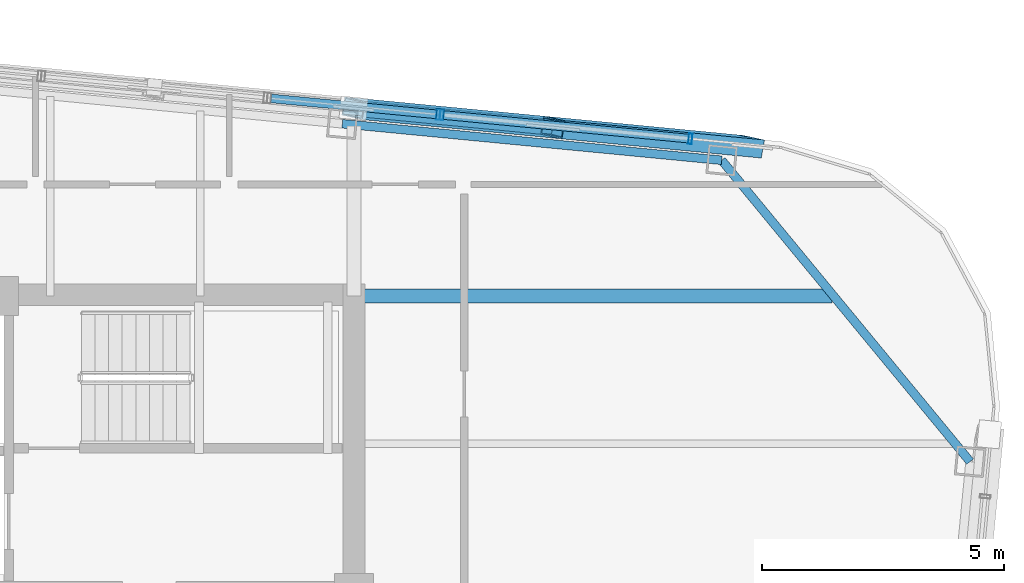
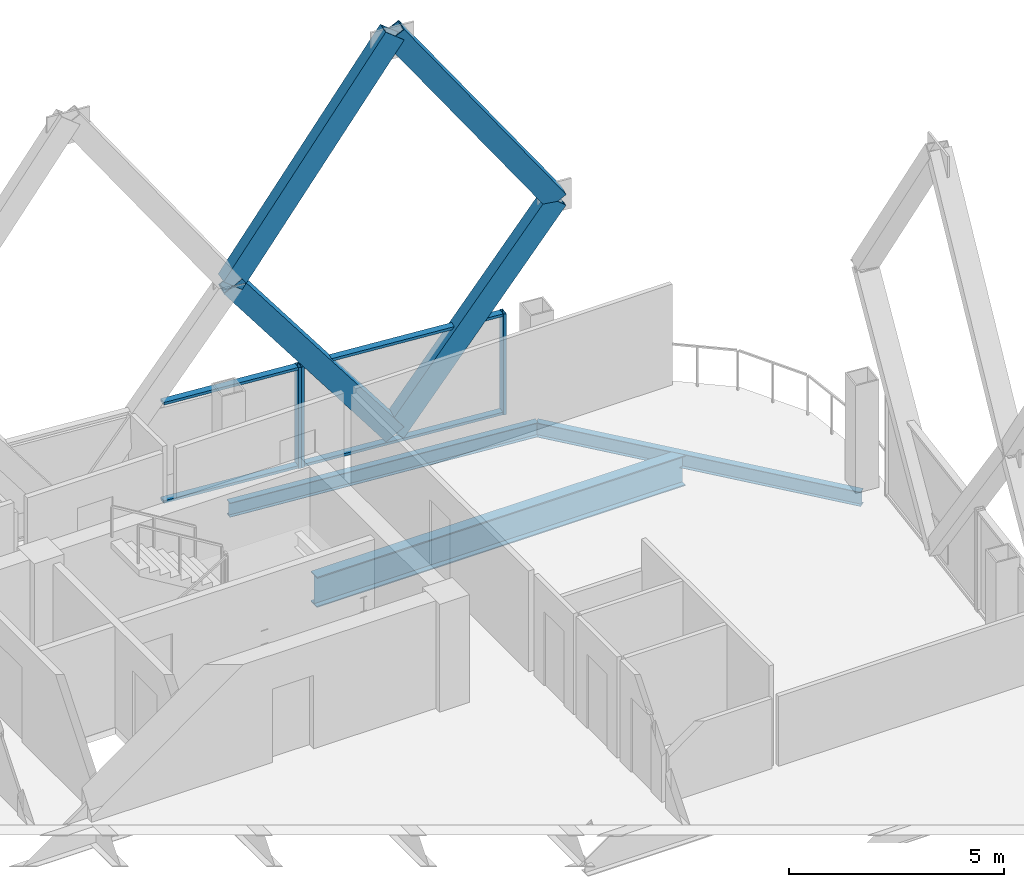
# One storey, part 17 of 25: 11 members, 3 beams, 2 elements without a shape of their own.
"""IFC4 building model written with IfcOpenShell, lengths in metres."""

from ifc_helpers import new_model, si_unit, direction, frame, origin, origin_2d, place, context, subcontext, project, spatial, hollow_rectangle, i_section, extrude, material, layer, layer_set, material_profile, profile_set, type_object, element, aggregate, save


model = new_model("IFC4")

# Units and contexts
model_context = context("Model", 3, precision=1e-05, world=origin(), true_north=direction((0.0, 1.0)))
body_context = subcontext(model_context, "Body", "Model", "MODEL_VIEW")
ifc_project = project(units=[si_unit("LENGTHUNIT", "METRE"), si_unit("AREAUNIT", "SQUARE_METRE"), si_unit("VOLUMEUNIT", "CUBIC_METRE"), si_unit("PLANEANGLEUNIT", "RADIAN"), si_unit("MASSUNIT", "GRAM", prefix="KILO")], contexts=[model_context])

# Site, building, storey
site_placement = place(None, origin())
site = spatial("IfcSite", under=ifc_project, at=site_placement, CompositionType="ELEMENT")
building_placement = place(site_placement, origin())
building = spatial("IfcBuilding", under=site, at=building_placement, Name="Qhalaya Broadcast Tower", CompositionType="ELEMENT")
storey_placement = place(building_placement, frame((0.0, 0.0, 255.050048828125)))
storey = spatial("IfcBuildingStorey", under=building, at=storey_placement, Name="L75", CompositionType="ELEMENT", Elevation=255.050048828125)

# Members
ifc_material_1 = material(Name="Structural Steel ASTM A572 Grade 50", Category="steel")
ifc_material_profile_1 = material_profile(ifc_material_1, hollow_rectangle(XDim=0.3798828125, YDim=0.550048828125, WallThickness=0.02490234375, at=origin_2d()), Name="BOX 380x550x25")
ifc_profile_set_1 = profile_set([ifc_material_profile_1], Name="Structural Steel ASTM A572 Grade 50")
member_type_1 = type_object("IfcMemberType", Name="Exoskeleton Diamond Diagonal Upper EX4", PredefinedType="BRACE", material=ifc_profile_set_1)
for number, where, z_axis, x_axis, name in (
    (1, (13.478515625, 13.425537109375, 0.35986328125), (0.605362942159, -0.058301925892, 0.793811434597), (0.171157163881, 0.983517925101, -0.058289932722), "B6 Exoskeleton Diamond Brace N1-D1"),
    (2, (13.478515625, 13.425537109375, 0.35986328125), (-0.605362942159, 0.058301925892, 0.793811434597), (-0.171157163881, -0.983517925101, -0.058289932722), "B6 Exoskeleton Diamond Brace N1-D2"),
):
    element("IfcMember", number, at=place(storey_placement, frame(where, z_axis=z_axis, x_axis=x_axis)), inside=storey, type_object=member_type_1, Name=name, PredefinedType="BRACE", context=body_context, shape_type="SweptSolid", body=[
        extrude(hollow_rectangle(XDim=0.3798828125, YDim=0.550048828125, WallThickness=0.02490234375, at=origin_2d()), origin(), (0.0, 0.0, 1.0), 6.79638671875),
    ])
for number, where, z_axis, x_axis, name in (
    (3, (17.5927734375, 13.029296875, 5.7548828125), (-0.572753444041, 0.055161336321, 0.817869622443), (-0.173452418829, -0.983296871293, -0.055149989195), "B6 Exoskeleton Diamond Brace N1-D3"),
    (4, (9.3642578125, 13.82177734375, 5.7548828125), (0.572753444041, -0.055161336321, 0.817869622443), (0.173452418829, 0.983296871293, -0.055149989195), "B6 Exoskeleton Diamond Brace N1-D4"),
):
    element("IfcMember", number, at=place(storey_placement, frame(where, z_axis=z_axis, x_axis=x_axis)), inside=storey, type_object=member_type_1, Name=name, PredefinedType="BRACE", context=body_context, shape_type="SweptSolid", body=[
        extrude(hollow_rectangle(XDim=0.3798828125, YDim=0.550048828125, WallThickness=0.02490234375, at=origin_2d()), origin(), (0.0, 0.0, 1.0), 7.183349609375),
    ])

# Curtain wall, members
ifc_material_2 = material(Name="Fired Architectural Terracotta", Category="masonry")
ifc_layer_1 = layer(ifc_material_2, 0.219970703125, Name="Fired Architectural Terracotta")
ifc_layer_set_1 = layer_set([ifc_layer_1], Name="Fired Architectural Terracotta")
curtain_wall_type_1 = type_object("IfcCurtainWallType", Name="Block-Cap Unitised Terracotta Spandrel Wall CW-07", PredefinedType="NOTDEFINED", material=ifc_layer_set_1)
curtain_wall_1_placement = place(storey_placement, origin())
curtain_wall_1 = element("IfcCurtainWall", 5, at=curtain_wall_1_placement, inside=storey, type_object=curtain_wall_type_1, Name="L75 Unitised Curtain Wall L75-CW-N1", PredefinedType="NOTDEFINED")
ifc_material_3 = material(Name="Anodised Aluminium 6063-T6", Category="aluminium")
ifc_material_profile_2 = material_profile(ifc_material_3, hollow_rectangle(XDim=0.074951171875, YDim=0.219970703125, WallThickness=0.00390625, at=origin_2d()), Name="ALU-MUL 75x220x4")
ifc_profile_set_2 = profile_set([ifc_material_profile_2], Name="Anodised Aluminium 6063-T6")
member_type_2 = type_object("IfcMemberType", Name="Unitised Curtain-Wall Mullion M01", PredefinedType="MULLION", material=ifc_profile_set_2)
member_1_placement = place(storey_placement, frame((16.315185546875, 13.192626953125, 0.0), z_axis=(0.0, 0.0, 1.0), x_axis=(-0.995395942778, 0.095848406879, 0.0)))
member_1 = element("IfcMember", 6, at=member_1_placement, type_object=member_type_2, Name="CW-07 mullion 1", PredefinedType="MULLION", context=body_context, shape_type="SweptSolid", body=[
    extrude(hollow_rectangle(XDim=0.074951171875, YDim=0.219970703125, WallThickness=0.00390625, at=origin_2d()), origin(), (0.0, 0.0, 1.0), 2.85986328125),
])
member_2_placement = place(storey_placement, frame((11.187744140625, 13.686279296875, 0.0), z_axis=(0.0, 0.0, 1.0), x_axis=(-0.995395942778, 0.095848406879, 0.0)))
member_2 = element("IfcMember", 7, at=member_2_placement, type_object=member_type_2, Name="CW-07 mullion 2", PredefinedType="MULLION", context=body_context, shape_type="SweptSolid", body=[
    extrude(hollow_rectangle(XDim=0.074951171875, YDim=0.219970703125, WallThickness=0.00390625, at=origin_2d()), origin(), (0.0, 0.0, 1.0), 2.85986328125),
])

# Curtain wall, member
ifc_material_4 = material(Name="Solar-Control Low-E Triple Glazing", Category="glass")
ifc_layer_2 = layer(ifc_material_4, 0.219970703125, Name="Solar-Control Low-E Triple Glazing")
ifc_layer_set_2 = layer_set([ifc_layer_2], Name="Solar-Control Low-E Triple Glazing")
curtain_wall_type_2 = type_object("IfcCurtainWallType", Name="High-Altitude Upper-Shaft Triple Low-E Curtain Wall CW-04", PredefinedType="NOTDEFINED", material=ifc_layer_set_2)
curtain_wall_2_placement = place(storey_placement, origin())
curtain_wall_2 = element("IfcCurtainWall", 8, at=curtain_wall_2_placement, inside=storey, type_object=curtain_wall_type_2, Name="L75 Unitised Curtain Wall L75-CW-N2", PredefinedType="NOTDEFINED")
member_3_placement = place(storey_placement, frame((11.11328125, 13.693603515625, 0.0), z_axis=(0.0, 0.0, 1.0), x_axis=(-0.995397049282, 0.095836915023, 0.0)))
member_3 = element("IfcMember", 9, at=member_3_placement, type_object=member_type_2, Name="CW-04 mullion 1", PredefinedType="MULLION", context=body_context, shape_type="SweptSolid", body=[
    extrude(hollow_rectangle(XDim=0.074951171875, YDim=0.219970703125, WallThickness=0.00390625, at=origin_2d()), origin(), (0.0, 0.0, 1.0), 2.85986328125),
])

# Member
ifc_material_profile_3 = material_profile(ifc_material_3, hollow_rectangle(XDim=0.074951171875, YDim=0.179931640625, WallThickness=0.00390625, at=origin_2d()), Name="ALU-TRN 75x180x4")
ifc_profile_set_3 = profile_set([ifc_material_profile_3], Name="Anodised Aluminium 6063-T6")
member_type_3 = type_object("IfcMemberType", Name="Unitised Curtain-Wall Transom T01", PredefinedType="USERDEFINED", material=ifc_profile_set_3)
member_4_placement = place(storey_placement, frame((16.27783203125, 13.1962890625, 0.037353515625), z_axis=(-0.995399859991, 0.095807717487, 0.0), x_axis=(0.0, 0.0, 1.0)))
member_4 = element("IfcMember", 10, at=member_4_placement, type_object=member_type_3, Name="CW-07 transom 1.1", ObjectType="TRANSOM", PredefinedType="USERDEFINED", context=body_context, shape_type="SweptSolid", body=[
    extrude(hollow_rectangle(XDim=0.074951171875, YDim=0.179931640625, WallThickness=0.00390625, at=origin_2d()), origin(), (0.0, 0.0, 1.0), 5.076171875),
])

member_5_placement = place(storey_placement, frame((16.27783203125, 13.1962890625, 2.822509765625), z_axis=(-0.995399859991, 0.095807717487, 0.0), x_axis=(0.0, 0.0, 1.0)))
member_5 = element("IfcMember", 11, at=member_5_placement, type_object=member_type_3, Name="CW-07 transom 1.2", ObjectType="TRANSOM", PredefinedType="USERDEFINED", context=body_context, shape_type="SweptSolid", body=[
    extrude(hollow_rectangle(XDim=0.074951171875, YDim=0.179931640625, WallThickness=0.00390625, at=origin_2d()), origin(), (0.0, 0.0, 1.0), 5.076171875),
])

aggregate(curtain_wall_1, [member_1, member_2, member_4, member_5])

member_6_placement = place(storey_placement, frame((11.075927734375, 13.697021484375, 0.037353515625), z_axis=(-0.995396113477, 0.095846634131, 0.0), x_axis=(0.0, 0.0, 1.0)))
member_6 = element("IfcMember", 12, at=member_6_placement, type_object=member_type_3, Name="CW-04 transom 1.1", ObjectType="TRANSOM", PredefinedType="USERDEFINED", context=body_context, shape_type="SweptSolid", body=[
    extrude(hollow_rectangle(XDim=0.074951171875, YDim=0.179931640625, WallThickness=0.00390625, at=origin_2d()), origin(), (0.0, 0.0, 1.0), 3.43115234375),
])

member_7_placement = place(storey_placement, frame((11.075927734375, 13.697021484375, 2.822509765625), z_axis=(-0.995396113477, 0.095846634131, 0.0), x_axis=(0.0, 0.0, 1.0)))
member_7 = element("IfcMember", 13, at=member_7_placement, type_object=member_type_3, Name="CW-04 transom 1.2", ObjectType="TRANSOM", PredefinedType="USERDEFINED", context=body_context, shape_type="SweptSolid", body=[
    extrude(hollow_rectangle(XDim=0.074951171875, YDim=0.179931640625, WallThickness=0.00390625, at=origin_2d()), origin(), (0.0, 0.0, 1.0), 3.43115234375),
])

aggregate(curtain_wall_2, [member_3, member_6, member_7])

# Beams
ifc_material_5 = material(Name="Structural Steel ASTM A992 Grade 50", Category="steel")
ifc_material_profile_4 = material_profile(ifc_material_5, i_section(OverallWidth=0.2919921875, OverallDepth=0.85888671875, WebThickness=0.01708984375, FlangeThickness=0.031005859375, at=origin_2d()), Name="W33X169")
ifc_profile_set_4 = profile_set([ifc_material_profile_4], Name="Structural Steel ASTM A992 Grade 50")
beam_type_1 = type_object("IfcBeamType", Name="Upper Block Primary Girder PG4", PredefinedType="USERDEFINED", material=ifc_profile_set_4)
beam_1_placement = place(storey_placement, frame((9.375, 9.949951171875, -0.61962890625), z_axis=(1.0, 0.0, 0.0), x_axis=(0.0, 1.0, 0.0)))
element("IfcBeam", 14, at=beam_1_placement, inside=storey, type_object=beam_type_1, Name="L75 PG4 L75-PGYE4-1", ObjectType="GIRDER", PredefinedType="USERDEFINED", context=body_context, shape_type="SweptSolid", body=[
    extrude(i_section(OverallWidth=0.2919921875, OverallDepth=0.85888671875, WebThickness=0.01708984375, FlangeThickness=0.031005859375, at=origin_2d()), origin(), (0.0, 0.0, 1.0), 9.868896484375),
])
ifc_material_profile_5 = material_profile(ifc_material_5, i_section(OverallWidth=0.177978515625, OverallDepth=0.406005859375, WebThickness=0.0078125, FlangeThickness=0.0126953125, at=origin_2d()), Name="W16X40")
ifc_profile_set_5 = profile_set([ifc_material_profile_5], Name="Structural Steel ASTM A992 Grade 50")
beam_type_2 = type_object("IfcBeamType", Name="Upper Perimeter Spandrel Beam SP2", PredefinedType="SPANDREL", material=ifc_profile_set_5)
beam_2_placement = place(storey_placement, frame((22.09033203125, 6.5283203125, -0.39306640625), z_axis=(-0.636070241972, 0.771631160126, 0.0), x_axis=(-0.771631160126, -0.636070241972, 0.0)))
element("IfcBeam", 15, at=beam_2_placement, inside=storey, type_object=beam_type_2, Name="L75 SP2 L75-SPR-08", PredefinedType="SPANDREL", context=body_context, shape_type="SweptSolid", body=[
    extrude(i_section(OverallWidth=0.177978515625, OverallDepth=0.406005859375, WebThickness=0.0078125, FlangeThickness=0.0126953125, at=origin_2d()), origin(), (0.0, 0.0, 1.0), 8.06103515625),
])
beam_3_placement = place(storey_placement, frame((16.962890625, 12.74853515625, -0.39306640625), z_axis=(-0.995397023367, 0.095837184179, 0.0), x_axis=(-0.095837184179, -0.995397023367, 0.0)))
element("IfcBeam", 16, at=beam_3_placement, inside=storey, type_object=beam_type_2, Name="L75 SP2 L75-SPR-09", PredefinedType="SPANDREL", context=body_context, shape_type="SweptSolid", body=[
    extrude(i_section(OverallWidth=0.177978515625, OverallDepth=0.406005859375, WebThickness=0.0078125, FlangeThickness=0.0126953125, at=origin_2d()), origin(), (0.0, 0.0, 1.0), 7.866455078125),
])

save(model, "model.ifc")
